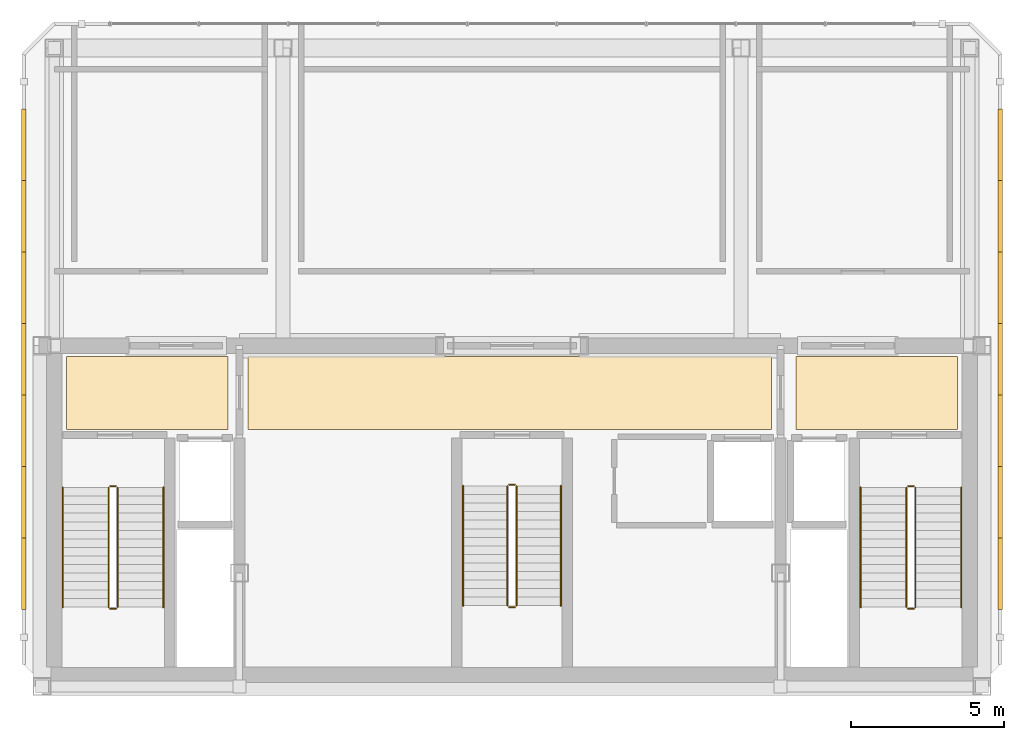
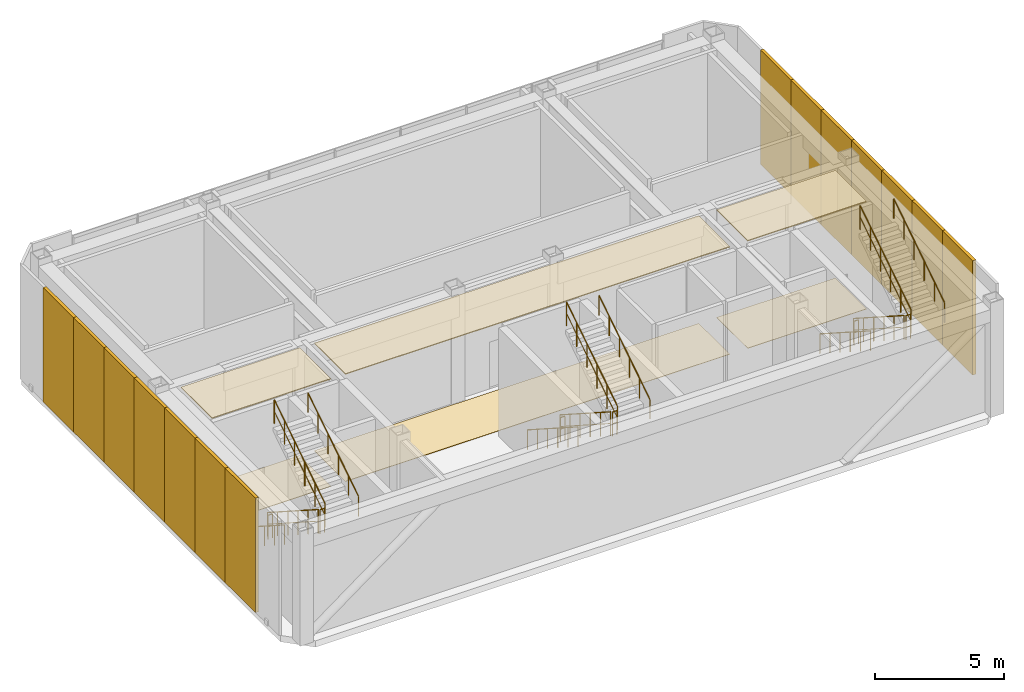
# One storey, part 9 of 9: 18 railings, 14 shading devices, 6 coverings.
"""IFC4 building model written with IfcOpenShell, lengths in metres."""

import ifcopenshell
import ifcopenshell.guid

model = None  # the IFC model being written
_history = None  # IfcOwnerHistory: only IFC2X3 demands one
_inside = {}  # id of a spatial element -> (the spatial element, [elements in it])
_under = {}  # id of a project, library or spatial element -> (it, [spatial elements below it])
_declared = {}  # id of a project -> (the project, [libraries it declares])
_typed = {}  # id of a type object -> (the type object, [elements of that type])
_made_of = {}  # id of a material, layer set ... -> (it, [elements and type objects made of it])


def new_model(schema):
    """Start an empty IFC model of exactly this schema.

    Asked for "IFC4X3", IfcOpenShell would pick the latest addendum, in which some entities
    have other attributes; the version numbers below select the first issue.
    IFC2X3 requires an IfcOwnerHistory on every rooted entity: one is made here for all.
    """
    global model, _history
    if schema == "IFC4X3":
        model = ifcopenshell.file(schema_version=(4, 3, 0, 0))
    else:
        model = ifcopenshell.file(schema=schema)
    _inside.clear()
    _under.clear()
    _declared.clear()
    _typed.clear()
    _made_of.clear()
    _history = None
    if model.schema == "IFC2X3":
        org = make("IfcOrganization", Name="unknown")
        user = make(
            "IfcPersonAndOrganization",
            ThePerson=make("IfcPerson", FamilyName="unknown"),
            TheOrganization=org,
        )
        app = make(
            "IfcApplication",
            ApplicationDeveloper=org,
            Version="unknown",
            ApplicationFullName="unknown",
            ApplicationIdentifier="unknown",
        )
        _history = make(
            "IfcOwnerHistory",
            OwningUser=user,
            OwningApplication=app,
            ChangeAction="ADDED",
            CreationDate=0,
        )
    return model


def make(cls, **values):
    """One entity of the class cls with the attributes given. An attribute that is None is left unset."""
    return model.create_entity(
        cls, **{name: value for name, value in values.items() if value is not None}
    )


def rooted(cls, **values):
    """An entity with a GlobalId (a new one), such as an element, a storey or a relation."""
    return make(cls, GlobalId=ifcopenshell.guid.new(), OwnerHistory=_history, **values)


def si_unit(unit_type, name, prefix=None):
    """IfcSIUnit, for example si_unit("LENGTHUNIT", "METRE", prefix="MILLI")."""
    return make("IfcSIUnit", UnitType=unit_type, Prefix=prefix, Name=name)


def assignment(units):
    """IfcUnitAssignment: the units of a project."""
    return None if units is None else make("IfcUnitAssignment", Units=units)


def point(xyz):
    """IfcCartesianPoint."""
    return None if xyz is None else make("IfcCartesianPoint", Coordinates=xyz)


def direction(xyz):
    """IfcDirection."""
    return None if xyz is None else make("IfcDirection", DirectionRatios=xyz)


def frame(location, z_axis=None, x_axis=None):
    """IfcAxis2Placement3D, a coordinate frame: its origin and axes. An axis left out is left unset."""
    return make(
        "IfcAxis2Placement3D",
        Location=point(location),
        Axis=direction(z_axis),
        RefDirection=direction(x_axis),
    )


def frame_2d(location, x_axis=None):
    """IfcAxis2Placement2D, a coordinate frame in the plane: its origin and x axis."""
    return make(
        "IfcAxis2Placement2D", Location=point(location), RefDirection=direction(x_axis)
    )


def origin():
    """The frame at (0, 0, 0) with its axes left unset."""
    return frame((0.0, 0.0, 0.0))


def origin_2d():
    """The frame at (0, 0) in the plane with its x axis left unset."""
    return frame_2d((0.0, 0.0))


def place(relative_to, where):
    """IfcLocalPlacement: puts the frame where relative to a parent placement (None: the world)."""
    return make(
        "IfcLocalPlacement", PlacementRelTo=relative_to, RelativePlacement=where
    )


def context(
    kind, dimensions, precision=None, world=None, true_north=None, identifier=None
):
    """IfcGeometricRepresentationContext, for example the 3D "Model" context."""
    return make(
        "IfcGeometricRepresentationContext",
        ContextIdentifier=identifier,
        ContextType=kind,
        CoordinateSpaceDimension=dimensions,
        Precision=precision,
        WorldCoordinateSystem=world,
        TrueNorth=true_north,
    )


def subcontext(parent, identifier, kind, view, scale=None):
    """IfcGeometricRepresentationSubContext, for example "Body" below "Model"."""
    return make(
        "IfcGeometricRepresentationSubContext",
        ContextIdentifier=identifier,
        ContextType=kind,
        ParentContext=parent,
        TargetScale=scale,
        TargetView=view,
    )


def project(units=None, contexts=None):
    """IfcProject with its units and contexts."""
    return rooted(
        "IfcProject",
        Name="project",
        RepresentationContexts=contexts,
        UnitsInContext=assignment(units),
    )


def spatial(cls, under=None, at=None, **own):
    """A site, building, storey or space (cls), placed at a placement, below another one or the project."""
    s = rooted(cls, ObjectPlacement=at, **own)
    if under is not None:
        _under.setdefault(under.id(), (under, []))[1].append(s)
    return s


def polyline(points):
    """IfcPolyline through the points."""
    return make("IfcPolyline", Points=[point(p) for p in points])


def profile(cls, at=None, kind="AREA", **sizes):
    """A parametric profile (cls). Its sizes go by their IFC names, for example OverallWidth=200.0."""
    return make(cls, ProfileType=kind, Position=at, **sizes)


def rectangle(**sizes):
    """IfcRectangleProfileDef."""
    return profile("IfcRectangleProfileDef", **sizes)


def circle(**sizes):
    """IfcCircleProfileDef."""
    return profile("IfcCircleProfileDef", **sizes)


def outline(outer, holes=None, kind="AREA"):
    """IfcArbitraryClosedProfileDef: a profile drawn as a closed curve; with holes, ...WithVoids."""
    if holes is None:
        return make("IfcArbitraryClosedProfileDef", ProfileType=kind, OuterCurve=outer)
    return make(
        "IfcArbitraryProfileDefWithVoids",
        ProfileType=kind,
        OuterCurve=outer,
        InnerCurves=holes,
    )


def extrude(swept, where, along, depth):
    """IfcExtrudedAreaSolid: the profile swept, set in the frame where, extruded along a direction by depth."""
    return make(
        "IfcExtrudedAreaSolid",
        SweptArea=swept,
        Position=where,
        ExtrudedDirection=direction(along),
        Depth=depth,
    )


def shape(context_of_items, identifier, shape_type, items):
    """IfcShapeRepresentation: the items that make up one representation, for example the "Body"."""
    return make(
        "IfcShapeRepresentation",
        ContextOfItems=context_of_items,
        RepresentationIdentifier=identifier,
        RepresentationType=shape_type,
        Items=items,
    )


def material(Name=None, Category=None):
    """IfcMaterial."""
    return make("IfcMaterial", Name=Name, Category=Category)


def layer(
    of_material, thickness, ventilated=None, Name=None, Category=None, Priority=None
):
    """IfcMaterialLayer: one layer of a wall or slab, of a material (None: an air gap)."""
    return make(
        "IfcMaterialLayer",
        Material=of_material,
        LayerThickness=thickness,
        IsVentilated=ventilated,
        Name=Name,
        Category=Category,
        Priority=Priority,
    )


def layer_set(layers, Name=None):
    """IfcMaterialLayerSet."""
    return make("IfcMaterialLayerSet", MaterialLayers=layers, LayerSetName=Name)


def made_of(thing, what):
    """Note that an element or type object is made of a material, layer set ...; save() writes the relation."""
    if what is not None:
        _made_of.setdefault(what.id(), (what, []))[1].append(thing)
    return thing


def type_object(cls, material=None, **own):
    """A type object (cls), such as IfcWallType, which elements share."""
    return made_of(rooted(cls, **own), material)


def element(
    cls,
    number,
    at=None,
    inside=None,
    cuts=None,
    type_object=None,
    material=None,
    context=None,
    identifier="Body",
    shape_type=None,
    held_by="IfcProductDefinitionShape",
    body=None,
    shapes=None,
    **own,
):
    """One element of the class cls, such as IfcWall. Its Tag is "e" and its number.

    at: its placement. inside: the storey or other place that contains it. cuts: it is an
    opening in that element (IfcRelVoidsElement). A single representation is given by context,
    identifier, shape_type and body (its items); several are given by shapes. held_by: the class
    of the entity that holds the representations. save() writes the other relations.
    """
    e = rooted(cls, Tag="e%d" % number, ObjectPlacement=at, **own)
    if body is not None:
        shapes = [shape(context, identifier, shape_type, body)]
    if shapes is not None:
        e.Representation = make(held_by, Representations=shapes)
    if inside is not None:
        _inside.setdefault(inside.id(), (inside, []))[1].append(e)
    if cuts is not None:
        rooted(
            "IfcRelVoidsElement", RelatingBuildingElement=cuts, RelatedOpeningElement=e
        )
    if type_object is not None:
        _typed.setdefault(type_object.id(), (type_object, []))[1].append(e)
    return made_of(e, material)


def aggregate(whole, parts):
    """IfcRelAggregates: a whole, such as a stair, and the parts it consists of."""
    return rooted("IfcRelAggregates", RelatingObject=whole, RelatedObjects=parts)


def save(model, path):
    """Write the relations noted so far, then the file.

    IfcRelAggregates (storeys below a building ...), IfcRelContainedInSpatialStructure (elements
    in a storey), IfcRelDefinesByType, IfcRelAssociatesMaterial and IfcRelDeclares: one each for
    every whole, place, type object, material and project.
    """
    for whole, parts in _under.values():
        aggregate(whole, parts)
    for where, things in _inside.values():
        rooted(
            "IfcRelContainedInSpatialStructure",
            RelatedElements=things,
            RelatingStructure=where,
        )
    for kind, things in _typed.values():
        rooted("IfcRelDefinesByType", RelatedObjects=things, RelatingType=kind)
    for what, things in _made_of.values():
        rooted("IfcRelAssociatesMaterial", RelatedObjects=things, RelatingMaterial=what)
    for by, libraries in _declared.values():
        rooted("IfcRelDeclares", RelatingContext=by, RelatedDefinitions=libraries)
    model.write(path)


model = new_model("IFC4")

# Units and contexts
model_context = context("Model", 3, precision=1e-05, world=origin(), true_north=direction((0.0, 1.0)))
body_context = subcontext(model_context, "Body", "Model", "MODEL_VIEW")
ifc_project = project(units=[si_unit("LENGTHUNIT", "METRE"), si_unit("AREAUNIT", "SQUARE_METRE"), si_unit("VOLUMEUNIT", "CUBIC_METRE"), si_unit("PLANEANGLEUNIT", "RADIAN"), si_unit("MASSUNIT", "GRAM", prefix="KILO")], contexts=[model_context])

# Site, building, storey
site_placement = place(None, origin())
site = spatial("IfcSite", under=ifc_project, at=site_placement, CompositionType="ELEMENT")
building_placement = place(site_placement, origin())
building = spatial("IfcBuilding", under=site, at=building_placement, Name="Ventersveld Concourse Tower", CompositionType="ELEMENT")
storey_placement = place(building_placement, frame((0.0, 0.0, 372.050048828125)))
storey = spatial("IfcBuildingStorey", under=building, at=storey_placement, Name="L91", CompositionType="ELEMENT", Elevation=372.050048828125)

# Coverings
ifc_material_1 = material(Name="Mineral-fibre acoustic ceiling tile", Category="gypsum")
ifc_layer_1 = layer(ifc_material_1, 0.0400390625)
ifc_layer_set_1 = layer_set([ifc_layer_1], Name="Mineral-fibre acoustic ceiling tile")
covering_type_1 = type_object("IfcCoveringType", Name="COV-CEIL-ACOUSTIC", PredefinedType="CEILING", material=ifc_layer_set_1)
covering_1_placement = place(storey_placement, frame((0.0, 0.0, 5.06005859375)))
element("IfcCovering", 1, at=covering_1_placement, inside=storey, type_object=covering_type_1, Name="L91 North Lift Lobby Acoustic Ceiling", PredefinedType="CEILING", context=body_context, shape_type="SweptSolid", body=[
    extrude(outline(polyline([(20.10009765625, 8.699951171875), (37.25, 8.699951171875), (37.25, 11.10009765625), (20.10009765625, 11.10009765625), (20.10009765625, 8.699951171875)])), origin(), (0.0, 0.0, 1.0), 0.039794921875),
])
covering_2_placement = place(storey_placement, frame((0.0, 0.0, 5.06005859375)))
element("IfcCovering", 2, at=covering_2_placement, inside=storey, type_object=covering_type_1, Name="L91 West Firefighting Lobby Acoustic Ceiling", PredefinedType="CEILING", context=body_context, shape_type="SweptSolid", body=[
    extrude(outline(polyline([(14.14990234375, 8.699951171875), (19.449951171875, 8.699951171875), (19.449951171875, 11.10009765625), (14.14990234375, 11.10009765625), (14.14990234375, 8.699951171875)])), origin(), (0.0, 0.0, 1.0), 0.039794921875),
])
covering_3_placement = place(storey_placement, frame((0.0, 0.0, 5.06005859375)))
element("IfcCovering", 3, at=covering_3_placement, inside=storey, type_object=covering_type_1, Name="L91 East Firefighting Lobby Acoustic Ceiling", PredefinedType="CEILING", context=body_context, shape_type="SweptSolid", body=[
    extrude(outline(polyline([(38.050048828125, 8.699951171875), (43.35009765625, 8.699951171875), (43.35009765625, 11.10009765625), (38.050048828125, 11.10009765625), (38.050048828125, 8.699951171875)])), origin(), (0.0, 0.0, 1.0), 0.039794921875),
])
ifc_material_2 = material(Name="Polished Highveld granite terrazzo", Category="masonry")
ifc_layer_2 = layer(ifc_material_2, 0.02001953125)
ifc_layer_set_2 = layer_set([ifc_layer_2], Name="Polished Highveld granite terrazzo")
covering_type_2 = type_object("IfcCoveringType", Name="COV-FLOOR-TERRAZZO", PredefinedType="FLOORING", material=ifc_layer_set_2)
covering_4_placement = place(storey_placement, origin())
element("IfcCovering", 4, at=covering_4_placement, inside=storey, type_object=covering_type_2, Name="L91 North Lift Lobby Terrazzo Flooring", PredefinedType="FLOORING", context=body_context, shape_type="SweptSolid", body=[
    extrude(outline(polyline([(20.10009765625, 8.699951171875), (37.25, 8.699951171875), (37.25, 11.10009765625), (20.10009765625, 11.10009765625), (20.10009765625, 8.699951171875)])), origin(), (0.0, 0.0, 1.0), 0.02001953125),
])
covering_5_placement = place(storey_placement, origin())
element("IfcCovering", 5, at=covering_5_placement, inside=storey, type_object=covering_type_2, Name="L91 West Firefighting Lobby Terrazzo Flooring", PredefinedType="FLOORING", context=body_context, shape_type="SweptSolid", body=[
    extrude(outline(polyline([(14.14990234375, 8.699951171875), (19.449951171875, 8.699951171875), (19.449951171875, 11.10009765625), (14.14990234375, 11.10009765625), (14.14990234375, 8.699951171875)])), origin(), (0.0, 0.0, 1.0), 0.02001953125),
])
covering_6_placement = place(storey_placement, origin())
element("IfcCovering", 6, at=covering_6_placement, inside=storey, type_object=covering_type_2, Name="L91 East Firefighting Lobby Terrazzo Flooring", PredefinedType="FLOORING", context=body_context, shape_type="SweptSolid", body=[
    extrude(outline(polyline([(38.050048828125, 8.699951171875), (43.35009765625, 8.699951171875), (43.35009765625, 11.10009765625), (38.050048828125, 11.10009765625), (38.050048828125, 8.699951171875)])), origin(), (0.0, 0.0, 1.0), 0.02001953125),
])

# Railings
ifc_material_3 = material(Name="Brushed stainless steel 316", Category="steel")
railing_type_1 = type_object("IfcRailingType", Name="GD-BAL-115", PredefinedType="GUARDRAIL", material=ifc_material_3)
railing_1_placement = place(storey_placement, frame((15.530029296875, 6.800048828125, 0.179931640625)))
element("IfcRailing", 7, at=railing_1_placement, inside=storey, type_object=railing_type_1, Name="L91 ST-01 stair guard 1", PredefinedType="GUARDRAIL", context=body_context, shape_type="SweptSolid", body=[
    extrude(circle(Radius=0.02392578125, at=origin_2d()), frame((0.0, 0.0, 1.1259765625), z_axis=(0.0, -0.841186985886, 0.540744352514), x_axis=(1.0, 0.0, 0.0)), (0.0, 0.0, 1.0), 4.660400390625),
    extrude(circle(Radius=0.01611328125, at=origin_2d()), frame((0.0, 0.0, 0.574951171875), z_axis=(0.0, -0.841186985886, 0.540744352514), x_axis=(1.0, 0.0, 0.0)), (0.0, 0.0, 1.0), 4.660400390625),
    extrude(circle(Radius=0.02099609375, at=origin_2d()), origin(), (0.0, 0.0, 1.0), 1.101806640625),
    extrude(circle(Radius=0.02099609375, at=origin_2d()), frame((0.0, -0.783935546875, 0.50390625)), (0.0, 0.0, 1.0), 1.101806640625),
    extrude(circle(Radius=0.02099609375, at=origin_2d()), frame((0.0, -1.568115234375, 1.008056640625)), (0.0, 0.0, 1.0), 1.101806640625),
    extrude(circle(Radius=0.02099609375, at=origin_2d()), frame((0.0, -2.35205078125, 1.511962890625)), (0.0, 0.0, 1.0), 1.101806640625),
    extrude(circle(Radius=0.02099609375, at=origin_2d()), frame((0.0, -3.13623046875, 2.01611328125)), (0.0, 0.0, 1.0), 1.101806640625),
    extrude(circle(Radius=0.02099609375, at=origin_2d()), frame((0.0, -3.920166015625, 2.52001953125)), (0.0, 0.0, 1.0), 1.101806640625),
])
railing_2_placement = place(storey_placement, frame((15.580078125, 2.830078125, 2.699951171875)))
element("IfcRailing", 8, at=railing_2_placement, inside=storey, type_object=railing_type_1, Name="L91 ST-01 stair guard 2", PredefinedType="GUARDRAIL", context=body_context, shape_type="SweptSolid", body=[
    extrude(circle(Radius=0.02392578125, at=origin_2d()), frame((0.0, 0.0, 1.1259765625), z_axis=(1.0, 0.0, 0.0), x_axis=(0.0, 1.0, 0.0)), (0.0, 0.0, 1.0), 0.199951171875),
    extrude(circle(Radius=0.01611328125, at=origin_2d()), frame((0.0, 0.0, 0.574951171875), z_axis=(1.0, 0.0, 0.0), x_axis=(0.0, 1.0, 0.0)), (0.0, 0.0, 1.0), 0.199951171875),
    extrude(circle(Radius=0.02099609375, at=origin_2d()), origin(), (0.0, 0.0, 1.0), 1.101806640625),
    extrude(circle(Radius=0.02099609375, at=origin_2d()), frame((0.199951171875, 0.0, 0.0)), (0.0, 0.0, 1.0), 1.101806640625),
])
railing_3_placement = place(storey_placement, frame((15.830078125, 2.8798828125, 2.8798828125)))
element("IfcRailing", 9, at=railing_3_placement, inside=storey, type_object=railing_type_1, Name="L91 ST-01 stair guard 3", PredefinedType="GUARDRAIL", context=body_context, shape_type="SweptSolid", body=[
    extrude(circle(Radius=0.02392578125, at=origin_2d()), frame((0.0, 0.0, 1.1259765625), z_axis=(0.0, 0.841186985886, 0.540744352514), x_axis=(-1.0, 0.0, 0.0)), (0.0, 0.0, 1.0), 4.660400390625),
    extrude(circle(Radius=0.01611328125, at=origin_2d()), frame((0.0, 0.0, 0.574951171875), z_axis=(0.0, 0.841186985886, 0.540744352514), x_axis=(-1.0, 0.0, 0.0)), (0.0, 0.0, 1.0), 4.660400390625),
    extrude(circle(Radius=0.02099609375, at=origin_2d()), origin(), (0.0, 0.0, 1.0), 1.101806640625),
    extrude(circle(Radius=0.02099609375, at=origin_2d()), frame((0.0, 0.783935546875, 0.50390625)), (0.0, 0.0, 1.0), 1.101806640625),
    extrude(circle(Radius=0.02099609375, at=origin_2d()), frame((0.0, 1.568115234375, 1.008056640625)), (0.0, 0.0, 1.0), 1.101806640625),
    extrude(circle(Radius=0.02099609375, at=origin_2d()), frame((0.0, 2.35205078125, 1.511962890625)), (0.0, 0.0, 1.0), 1.101806640625),
    extrude(circle(Radius=0.02099609375, at=origin_2d()), frame((0.0, 3.13623046875, 2.01611328125)), (0.0, 0.0, 1.0), 1.101806640625),
    extrude(circle(Radius=0.02099609375, at=origin_2d()), frame((0.0, 3.920166015625, 2.52001953125)), (0.0, 0.0, 1.0), 1.101806640625),
])
railing_4_placement = place(storey_placement, frame((15.580078125, 6.85009765625, 0.0)))
element("IfcRailing", 10, at=railing_4_placement, inside=storey, type_object=railing_type_1, Name="L91 ST-01 stair guard 4", PredefinedType="GUARDRAIL", context=body_context, shape_type="SweptSolid", body=[
    extrude(circle(Radius=0.02392578125, at=origin_2d()), frame((0.0, 0.0, 1.1259765625), z_axis=(1.0, 0.0, 0.0), x_axis=(0.0, 1.0, 0.0)), (0.0, 0.0, 1.0), 0.199951171875),
    extrude(circle(Radius=0.01611328125, at=origin_2d()), frame((0.0, 0.0, 0.574951171875), z_axis=(1.0, 0.0, 0.0), x_axis=(0.0, 1.0, 0.0)), (0.0, 0.0, 1.0), 0.199951171875),
    extrude(circle(Radius=0.02099609375, at=origin_2d()), origin(), (0.0, 0.0, 1.0), 1.101806640625),
    extrude(circle(Radius=0.02099609375, at=origin_2d()), frame((0.199951171875, 0.0, 0.0)), (0.0, 0.0, 1.0), 1.101806640625),
])
railing_5_placement = place(storey_placement, frame((41.669921875, 6.800048828125, 0.179931640625)))
element("IfcRailing", 11, at=railing_5_placement, inside=storey, type_object=railing_type_1, Name="L91 ST-02 stair guard 1", PredefinedType="GUARDRAIL", context=body_context, shape_type="SweptSolid", body=[
    extrude(circle(Radius=0.02392578125, at=origin_2d()), frame((0.0, 0.0, 1.1259765625), z_axis=(0.0, -0.841186985886, 0.540744352514), x_axis=(1.0, 0.0, 0.0)), (0.0, 0.0, 1.0), 4.660400390625),
    extrude(circle(Radius=0.01611328125, at=origin_2d()), frame((0.0, 0.0, 0.574951171875), z_axis=(0.0, -0.841186985886, 0.540744352514), x_axis=(1.0, 0.0, 0.0)), (0.0, 0.0, 1.0), 4.660400390625),
    extrude(circle(Radius=0.02099609375, at=origin_2d()), origin(), (0.0, 0.0, 1.0), 1.101806640625),
    extrude(circle(Radius=0.02099609375, at=origin_2d()), frame((0.0, -0.783935546875, 0.50390625)), (0.0, 0.0, 1.0), 1.101806640625),
    extrude(circle(Radius=0.02099609375, at=origin_2d()), frame((0.0, -1.568115234375, 1.008056640625)), (0.0, 0.0, 1.0), 1.101806640625),
    extrude(circle(Radius=0.02099609375, at=origin_2d()), frame((0.0, -2.35205078125, 1.511962890625)), (0.0, 0.0, 1.0), 1.101806640625),
    extrude(circle(Radius=0.02099609375, at=origin_2d()), frame((0.0, -3.13623046875, 2.01611328125)), (0.0, 0.0, 1.0), 1.101806640625),
    extrude(circle(Radius=0.02099609375, at=origin_2d()), frame((0.0, -3.920166015625, 2.52001953125)), (0.0, 0.0, 1.0), 1.101806640625),
])
railing_6_placement = place(storey_placement, frame((41.719970703125, 2.830078125, 2.699951171875)))
element("IfcRailing", 12, at=railing_6_placement, inside=storey, type_object=railing_type_1, Name="L91 ST-02 stair guard 2", PredefinedType="GUARDRAIL", context=body_context, shape_type="SweptSolid", body=[
    extrude(circle(Radius=0.02392578125, at=origin_2d()), frame((0.0, 0.0, 1.1259765625), z_axis=(1.0, 0.0, 0.0), x_axis=(0.0, 1.0, 0.0)), (0.0, 0.0, 1.0), 0.199951171875),
    extrude(circle(Radius=0.01611328125, at=origin_2d()), frame((0.0, 0.0, 0.574951171875), z_axis=(1.0, 0.0, 0.0), x_axis=(0.0, 1.0, 0.0)), (0.0, 0.0, 1.0), 0.199951171875),
    extrude(circle(Radius=0.02099609375, at=origin_2d()), origin(), (0.0, 0.0, 1.0), 1.101806640625),
    extrude(circle(Radius=0.02099609375, at=origin_2d()), frame((0.199951171875, 0.0, 0.0)), (0.0, 0.0, 1.0), 1.101806640625),
])
railing_7_placement = place(storey_placement, frame((41.969970703125, 2.8798828125, 2.8798828125)))
element("IfcRailing", 13, at=railing_7_placement, inside=storey, type_object=railing_type_1, Name="L91 ST-02 stair guard 3", PredefinedType="GUARDRAIL", context=body_context, shape_type="SweptSolid", body=[
    extrude(circle(Radius=0.02392578125, at=origin_2d()), frame((0.0, 0.0, 1.1259765625), z_axis=(0.0, 0.841186985886, 0.540744352514), x_axis=(-1.0, 0.0, 0.0)), (0.0, 0.0, 1.0), 4.660400390625),
    extrude(circle(Radius=0.01611328125, at=origin_2d()), frame((0.0, 0.0, 0.574951171875), z_axis=(0.0, 0.841186985886, 0.540744352514), x_axis=(-1.0, 0.0, 0.0)), (0.0, 0.0, 1.0), 4.660400390625),
    extrude(circle(Radius=0.02099609375, at=origin_2d()), origin(), (0.0, 0.0, 1.0), 1.101806640625),
    extrude(circle(Radius=0.02099609375, at=origin_2d()), frame((0.0, 0.783935546875, 0.50390625)), (0.0, 0.0, 1.0), 1.101806640625),
    extrude(circle(Radius=0.02099609375, at=origin_2d()), frame((0.0, 1.568115234375, 1.008056640625)), (0.0, 0.0, 1.0), 1.101806640625),
    extrude(circle(Radius=0.02099609375, at=origin_2d()), frame((0.0, 2.35205078125, 1.511962890625)), (0.0, 0.0, 1.0), 1.101806640625),
    extrude(circle(Radius=0.02099609375, at=origin_2d()), frame((0.0, 3.13623046875, 2.01611328125)), (0.0, 0.0, 1.0), 1.101806640625),
    extrude(circle(Radius=0.02099609375, at=origin_2d()), frame((0.0, 3.920166015625, 2.52001953125)), (0.0, 0.0, 1.0), 1.101806640625),
])
railing_8_placement = place(storey_placement, frame((41.719970703125, 6.85009765625, 0.0)))
element("IfcRailing", 14, at=railing_8_placement, inside=storey, type_object=railing_type_1, Name="L91 ST-02 stair guard 4", PredefinedType="GUARDRAIL", context=body_context, shape_type="SweptSolid", body=[
    extrude(circle(Radius=0.02392578125, at=origin_2d()), frame((0.0, 0.0, 1.1259765625), z_axis=(1.0, 0.0, 0.0), x_axis=(0.0, 1.0, 0.0)), (0.0, 0.0, 1.0), 0.199951171875),
    extrude(circle(Radius=0.01611328125, at=origin_2d()), frame((0.0, 0.0, 0.574951171875), z_axis=(1.0, 0.0, 0.0), x_axis=(0.0, 1.0, 0.0)), (0.0, 0.0, 1.0), 0.199951171875),
    extrude(circle(Radius=0.02099609375, at=origin_2d()), origin(), (0.0, 0.0, 1.0), 1.101806640625),
    extrude(circle(Radius=0.02099609375, at=origin_2d()), frame((0.199951171875, 0.0, 0.0)), (0.0, 0.0, 1.0), 1.101806640625),
])
railing_9_placement = place(storey_placement, frame((28.60009765625, 6.85009765625, 0.179931640625)))
element("IfcRailing", 15, at=railing_9_placement, inside=storey, type_object=railing_type_1, Name="L91 ST-03 stair guard 1", PredefinedType="GUARDRAIL", context=body_context, shape_type="SweptSolid", body=[
    extrude(circle(Radius=0.02392578125, at=origin_2d()), frame((0.0, 0.0, 1.1259765625), z_axis=(0.0, -0.841186985886, 0.540744352514), x_axis=(1.0, 0.0, 0.0)), (0.0, 0.0, 1.0), 4.660400390625),
    extrude(circle(Radius=0.01611328125, at=origin_2d()), frame((0.0, 0.0, 0.574951171875), z_axis=(0.0, -0.841186985886, 0.540744352514), x_axis=(1.0, 0.0, 0.0)), (0.0, 0.0, 1.0), 4.660400390625),
    extrude(circle(Radius=0.02099609375, at=origin_2d()), origin(), (0.0, 0.0, 1.0), 1.101806640625),
    extrude(circle(Radius=0.02099609375, at=origin_2d()), frame((0.0, -0.783935546875, 0.50390625)), (0.0, 0.0, 1.0), 1.101806640625),
    extrude(circle(Radius=0.02099609375, at=origin_2d()), frame((0.0, -1.568115234375, 1.008056640625)), (0.0, 0.0, 1.0), 1.101806640625),
    extrude(circle(Radius=0.02099609375, at=origin_2d()), frame((0.0, -2.35205078125, 1.511962890625)), (0.0, 0.0, 1.0), 1.101806640625),
    extrude(circle(Radius=0.02099609375, at=origin_2d()), frame((0.0, -3.13623046875, 2.01611328125)), (0.0, 0.0, 1.0), 1.101806640625),
    extrude(circle(Radius=0.02099609375, at=origin_2d()), frame((0.0, -3.920166015625, 2.52001953125)), (0.0, 0.0, 1.0), 1.101806640625),
])
railing_10_placement = place(storey_placement, frame((28.64990234375, 2.8798828125, 2.699951171875)))
element("IfcRailing", 16, at=railing_10_placement, inside=storey, type_object=railing_type_1, Name="L91 ST-03 stair guard 2", PredefinedType="GUARDRAIL", context=body_context, shape_type="SweptSolid", body=[
    extrude(circle(Radius=0.02392578125, at=origin_2d()), frame((0.0, 0.0, 1.1259765625), z_axis=(1.0, 0.0, 0.0), x_axis=(0.0, 1.0, 0.0)), (0.0, 0.0, 1.0), 0.2001953125),
    extrude(circle(Radius=0.01611328125, at=origin_2d()), frame((0.0, 0.0, 0.574951171875), z_axis=(1.0, 0.0, 0.0), x_axis=(0.0, 1.0, 0.0)), (0.0, 0.0, 1.0), 0.2001953125),
    extrude(circle(Radius=0.02099609375, at=origin_2d()), origin(), (0.0, 0.0, 1.0), 1.101806640625),
    extrude(circle(Radius=0.02099609375, at=origin_2d()), frame((0.2001953125, 0.0, 0.0)), (0.0, 0.0, 1.0), 1.101806640625),
])
railing_11_placement = place(storey_placement, frame((28.89990234375, 2.929931640625, 2.8798828125)))
element("IfcRailing", 17, at=railing_11_placement, inside=storey, type_object=railing_type_1, Name="L91 ST-03 stair guard 3", PredefinedType="GUARDRAIL", context=body_context, shape_type="SweptSolid", body=[
    extrude(circle(Radius=0.02392578125, at=origin_2d()), frame((0.0, 0.0, 1.1259765625), z_axis=(0.0, 0.841186985886, 0.540744352514), x_axis=(-1.0, 0.0, 0.0)), (0.0, 0.0, 1.0), 4.660400390625),
    extrude(circle(Radius=0.01611328125, at=origin_2d()), frame((0.0, 0.0, 0.574951171875), z_axis=(0.0, 0.841186985886, 0.540744352514), x_axis=(-1.0, 0.0, 0.0)), (0.0, 0.0, 1.0), 4.660400390625),
    extrude(circle(Radius=0.02099609375, at=origin_2d()), origin(), (0.0, 0.0, 1.0), 1.101806640625),
    extrude(circle(Radius=0.02099609375, at=origin_2d()), frame((0.0, 0.783935546875, 0.50390625)), (0.0, 0.0, 1.0), 1.101806640625),
    extrude(circle(Radius=0.02099609375, at=origin_2d()), frame((0.0, 1.568115234375, 1.008056640625)), (0.0, 0.0, 1.0), 1.101806640625),
    extrude(circle(Radius=0.02099609375, at=origin_2d()), frame((0.0, 2.35205078125, 1.511962890625)), (0.0, 0.0, 1.0), 1.101806640625),
    extrude(circle(Radius=0.02099609375, at=origin_2d()), frame((0.0, 3.13623046875, 2.01611328125)), (0.0, 0.0, 1.0), 1.101806640625),
    extrude(circle(Radius=0.02099609375, at=origin_2d()), frame((0.0, 3.920166015625, 2.52001953125)), (0.0, 0.0, 1.0), 1.101806640625),
])
railing_12_placement = place(storey_placement, frame((28.64990234375, 6.89990234375, 0.0)))
element("IfcRailing", 18, at=railing_12_placement, inside=storey, type_object=railing_type_1, Name="L91 ST-03 stair guard 4", PredefinedType="GUARDRAIL", context=body_context, shape_type="SweptSolid", body=[
    extrude(circle(Radius=0.02392578125, at=origin_2d()), frame((0.0, 0.0, 1.1259765625), z_axis=(1.0, 0.0, 0.0), x_axis=(0.0, 1.0, 0.0)), (0.0, 0.0, 1.0), 0.2001953125),
    extrude(circle(Radius=0.01611328125, at=origin_2d()), frame((0.0, 0.0, 0.574951171875), z_axis=(1.0, 0.0, 0.0), x_axis=(0.0, 1.0, 0.0)), (0.0, 0.0, 1.0), 0.2001953125),
    extrude(circle(Radius=0.02099609375, at=origin_2d()), origin(), (0.0, 0.0, 1.0), 1.101806640625),
    extrude(circle(Radius=0.02099609375, at=origin_2d()), frame((0.2001953125, 0.0, 0.0)), (0.0, 0.0, 1.0), 1.101806640625),
])
railing_type_2 = type_object("IfcRailingType", Name="HR-RMP-095", PredefinedType="HANDRAIL", material=ifc_material_3)
railing_13_placement = place(storey_placement, frame((14.030029296875, 6.800048828125, 0.179931640625)))
element("IfcRailing", 19, at=railing_13_placement, inside=storey, type_object=railing_type_2, Name="L91 ST-01 stair handrail 1", PredefinedType="HANDRAIL", context=body_context, shape_type="SweptSolid", body=[
    extrude(circle(Radius=0.02392578125, at=origin_2d()), frame((0.0, 0.0, 0.92578125), z_axis=(0.0, -0.841186985886, 0.540744352514), x_axis=(1.0, 0.0, 0.0)), (0.0, 0.0, 1.0), 4.660400390625),
    extrude(circle(Radius=0.02099609375, at=origin_2d()), origin(), (0.0, 0.0, 1.0), 0.90185546875),
    extrude(circle(Radius=0.02099609375, at=origin_2d()), frame((0.0, -0.783935546875, 0.50390625)), (0.0, 0.0, 1.0), 0.90185546875),
    extrude(circle(Radius=0.02099609375, at=origin_2d()), frame((0.0, -1.568115234375, 1.008056640625)), (0.0, 0.0, 1.0), 0.90185546875),
    extrude(circle(Radius=0.02099609375, at=origin_2d()), frame((0.0, -2.35205078125, 1.511962890625)), (0.0, 0.0, 1.0), 0.90185546875),
    extrude(circle(Radius=0.02099609375, at=origin_2d()), frame((0.0, -3.13623046875, 2.01611328125)), (0.0, 0.0, 1.0), 0.90185546875),
    extrude(circle(Radius=0.02099609375, at=origin_2d()), frame((0.0, -3.920166015625, 2.52001953125)), (0.0, 0.0, 1.0), 0.90185546875),
])
railing_14_placement = place(storey_placement, frame((17.330078125, 2.8798828125, 2.8798828125)))
element("IfcRailing", 20, at=railing_14_placement, inside=storey, type_object=railing_type_2, Name="L91 ST-01 stair handrail 2", PredefinedType="HANDRAIL", context=body_context, shape_type="SweptSolid", body=[
    extrude(circle(Radius=0.02392578125, at=origin_2d()), frame((0.0, 0.0, 0.92578125), z_axis=(0.0, 0.841186985886, 0.540744352514), x_axis=(-1.0, 0.0, 0.0)), (0.0, 0.0, 1.0), 4.660400390625),
    extrude(circle(Radius=0.02099609375, at=origin_2d()), origin(), (0.0, 0.0, 1.0), 0.90185546875),
    extrude(circle(Radius=0.02099609375, at=origin_2d()), frame((0.0, 0.783935546875, 0.50390625)), (0.0, 0.0, 1.0), 0.90185546875),
    extrude(circle(Radius=0.02099609375, at=origin_2d()), frame((0.0, 1.568115234375, 1.008056640625)), (0.0, 0.0, 1.0), 0.90185546875),
    extrude(circle(Radius=0.02099609375, at=origin_2d()), frame((0.0, 2.35205078125, 1.511962890625)), (0.0, 0.0, 1.0), 0.90185546875),
    extrude(circle(Radius=0.02099609375, at=origin_2d()), frame((0.0, 3.13623046875, 2.01611328125)), (0.0, 0.0, 1.0), 0.90185546875),
    extrude(circle(Radius=0.02099609375, at=origin_2d()), frame((0.0, 3.920166015625, 2.52001953125)), (0.0, 0.0, 1.0), 0.90185546875),
])
railing_15_placement = place(storey_placement, frame((40.169921875, 6.800048828125, 0.179931640625)))
element("IfcRailing", 21, at=railing_15_placement, inside=storey, type_object=railing_type_2, Name="L91 ST-02 stair handrail 1", PredefinedType="HANDRAIL", context=body_context, shape_type="SweptSolid", body=[
    extrude(circle(Radius=0.02392578125, at=origin_2d()), frame((0.0, 0.0, 0.92578125), z_axis=(0.0, -0.841186985886, 0.540744352514), x_axis=(1.0, 0.0, 0.0)), (0.0, 0.0, 1.0), 4.660400390625),
    extrude(circle(Radius=0.02099609375, at=origin_2d()), origin(), (0.0, 0.0, 1.0), 0.90185546875),
    extrude(circle(Radius=0.02099609375, at=origin_2d()), frame((0.0, -0.783935546875, 0.50390625)), (0.0, 0.0, 1.0), 0.90185546875),
    extrude(circle(Radius=0.02099609375, at=origin_2d()), frame((0.0, -1.568115234375, 1.008056640625)), (0.0, 0.0, 1.0), 0.90185546875),
    extrude(circle(Radius=0.02099609375, at=origin_2d()), frame((0.0, -2.35205078125, 1.511962890625)), (0.0, 0.0, 1.0), 0.90185546875),
    extrude(circle(Radius=0.02099609375, at=origin_2d()), frame((0.0, -3.13623046875, 2.01611328125)), (0.0, 0.0, 1.0), 0.90185546875),
    extrude(circle(Radius=0.02099609375, at=origin_2d()), frame((0.0, -3.920166015625, 2.52001953125)), (0.0, 0.0, 1.0), 0.90185546875),
])
railing_16_placement = place(storey_placement, frame((43.469970703125, 2.8798828125, 2.8798828125)))
element("IfcRailing", 22, at=railing_16_placement, inside=storey, type_object=railing_type_2, Name="L91 ST-02 stair handrail 2", PredefinedType="HANDRAIL", context=body_context, shape_type="SweptSolid", body=[
    extrude(circle(Radius=0.02392578125, at=origin_2d()), frame((0.0, 0.0, 0.92578125), z_axis=(0.0, 0.841186985886, 0.540744352514), x_axis=(-1.0, 0.0, 0.0)), (0.0, 0.0, 1.0), 4.660400390625),
    extrude(circle(Radius=0.02099609375, at=origin_2d()), origin(), (0.0, 0.0, 1.0), 0.90185546875),
    extrude(circle(Radius=0.02099609375, at=origin_2d()), frame((0.0, 0.783935546875, 0.50390625)), (0.0, 0.0, 1.0), 0.90185546875),
    extrude(circle(Radius=0.02099609375, at=origin_2d()), frame((0.0, 1.568115234375, 1.008056640625)), (0.0, 0.0, 1.0), 0.90185546875),
    extrude(circle(Radius=0.02099609375, at=origin_2d()), frame((0.0, 2.35205078125, 1.511962890625)), (0.0, 0.0, 1.0), 0.90185546875),
    extrude(circle(Radius=0.02099609375, at=origin_2d()), frame((0.0, 3.13623046875, 2.01611328125)), (0.0, 0.0, 1.0), 0.90185546875),
    extrude(circle(Radius=0.02099609375, at=origin_2d()), frame((0.0, 3.920166015625, 2.52001953125)), (0.0, 0.0, 1.0), 0.90185546875),
])
railing_17_placement = place(storey_placement, frame((27.14990234375, 6.85009765625, 0.179931640625)))
element("IfcRailing", 23, at=railing_17_placement, inside=storey, type_object=railing_type_2, Name="L91 ST-03 stair handrail 1", PredefinedType="HANDRAIL", context=body_context, shape_type="SweptSolid", body=[
    extrude(circle(Radius=0.02392578125, at=origin_2d()), frame((0.0, 0.0, 0.92578125), z_axis=(0.0, -0.841186985886, 0.540744352514), x_axis=(1.0, 0.0, 0.0)), (0.0, 0.0, 1.0), 4.660400390625),
    extrude(circle(Radius=0.02099609375, at=origin_2d()), origin(), (0.0, 0.0, 1.0), 0.90185546875),
    extrude(circle(Radius=0.02099609375, at=origin_2d()), frame((0.0, -0.783935546875, 0.50390625)), (0.0, 0.0, 1.0), 0.90185546875),
    extrude(circle(Radius=0.02099609375, at=origin_2d()), frame((0.0, -1.568115234375, 1.008056640625)), (0.0, 0.0, 1.0), 0.90185546875),
    extrude(circle(Radius=0.02099609375, at=origin_2d()), frame((0.0, -2.35205078125, 1.511962890625)), (0.0, 0.0, 1.0), 0.90185546875),
    extrude(circle(Radius=0.02099609375, at=origin_2d()), frame((0.0, -3.13623046875, 2.01611328125)), (0.0, 0.0, 1.0), 0.90185546875),
    extrude(circle(Radius=0.02099609375, at=origin_2d()), frame((0.0, -3.920166015625, 2.52001953125)), (0.0, 0.0, 1.0), 0.90185546875),
])
railing_18_placement = place(storey_placement, frame((30.35009765625, 2.929931640625, 2.8798828125)))
element("IfcRailing", 24, at=railing_18_placement, inside=storey, type_object=railing_type_2, Name="L91 ST-03 stair handrail 2", PredefinedType="HANDRAIL", context=body_context, shape_type="SweptSolid", body=[
    extrude(circle(Radius=0.02392578125, at=origin_2d()), frame((0.0, 0.0, 0.92578125), z_axis=(0.0, 0.841186985886, 0.540744352514), x_axis=(-1.0, 0.0, 0.0)), (0.0, 0.0, 1.0), 4.660400390625),
    extrude(circle(Radius=0.02099609375, at=origin_2d()), origin(), (0.0, 0.0, 1.0), 0.90185546875),
    extrude(circle(Radius=0.02099609375, at=origin_2d()), frame((0.0, 0.783935546875, 0.50390625)), (0.0, 0.0, 1.0), 0.90185546875),
    extrude(circle(Radius=0.02099609375, at=origin_2d()), frame((0.0, 1.568115234375, 1.008056640625)), (0.0, 0.0, 1.0), 0.90185546875),
    extrude(circle(Radius=0.02099609375, at=origin_2d()), frame((0.0, 2.35205078125, 1.511962890625)), (0.0, 0.0, 1.0), 0.90185546875),
    extrude(circle(Radius=0.02099609375, at=origin_2d()), frame((0.0, 3.13623046875, 2.01611328125)), (0.0, 0.0, 1.0), 0.90185546875),
    extrude(circle(Radius=0.02099609375, at=origin_2d()), frame((0.0, 3.920166015625, 2.52001953125)), (0.0, 0.0, 1.0), 0.90185546875),
])

# Shading devices
ifc_material_4 = material(Name="Anodised aluminium EN AW-6063-T6", Category="aluminium")
shading_device_type = type_object("IfcShadingDeviceType", Name="SHD-SCREEN-CROWN", PredefinedType="JALOUSIE", material=ifc_material_4)
for number, where, z_axis, x_axis, name in (
    (25, (44.75, 3.971435546875, 0.0), (0.0, 0.0, 1.0), (0.0, 1.0, 0.0), "L91 Crown Acoustic Louvre SCREEN E3-C1"),
    (26, (44.75, 6.314453125, 0.0), (0.0, 0.0, 1.0), (0.0, 1.0, 0.0), "L91 Crown Acoustic Louvre SCREEN E3-C2"),
    (27, (44.75, 8.6572265625, 0.0), (0.0, 0.0, 1.0), (0.0, 1.0, 0.0), "L91 Crown Acoustic Louvre SCREEN E3-C3"),
    (28, (44.75, 11.000244140625, 0.0), (0.0, 0.0, 1.0), (0.0, 1.0, 0.0), "L91 Crown Acoustic Louvre SCREEN E3-C4"),
    (29, (44.75, 13.343017578125, 0.0), (0.0, 0.0, 1.0), (0.0, 1.0, 0.0), "L91 Crown Acoustic Louvre SCREEN E3-C5"),
    (30, (44.75, 15.68603515625, 0.0), (0.0, 0.0, 1.0), (0.0, 1.0, 0.0), "L91 Crown Acoustic Louvre SCREEN E3-C6"),
    (31, (44.75, 18.02880859375, 0.0), (0.0, 0.0, 1.0), (0.0, 1.0, 0.0), "L91 Crown Acoustic Louvre SCREEN E3-C7"),
    (32, (12.75, 18.028564453125, 0.0), (0.0, 0.0, 1.0), (0.0, -1.0, 0.0), "L91 Crown Acoustic Louvre SCREEN E7-C1"),
    (33, (12.75, 15.685546875, 0.0), (0.0, 0.0, 1.0), (0.0, -1.0, 0.0), "L91 Crown Acoustic Louvre SCREEN E7-C2"),
    (34, (12.75, 13.3427734375, 0.0), (0.0, 0.0, 1.0), (0.0, -1.0, 0.0), "L91 Crown Acoustic Louvre SCREEN E7-C3"),
    (35, (12.75, 10.999755859375, 0.0), (0.0, 0.0, 1.0), (0.0, -1.0, 0.0), "L91 Crown Acoustic Louvre SCREEN E7-C4"),
    (36, (12.75, 8.656982421875, 0.0), (0.0, 0.0, 1.0), (0.0, -1.0, 0.0), "L91 Crown Acoustic Louvre SCREEN E7-C5"),
    (37, (12.75, 6.31396484375, 0.0), (0.0, 0.0, 1.0), (0.0, -1.0, 0.0), "L91 Crown Acoustic Louvre SCREEN E7-C6"),
    (38, (12.75, 3.97119140625, 0.0), (0.0, 0.0, 1.0), (0.0, -1.0, 0.0), "L91 Crown Acoustic Louvre SCREEN E7-C7"),
):
    element("IfcShadingDevice", number, at=place(storey_placement, frame(where, z_axis=z_axis, x_axis=x_axis)), inside=storey, type_object=shading_device_type, Name=name, PredefinedType="JALOUSIE", context=body_context, shape_type="SweptSolid", body=[
        extrude(rectangle(XDim=2.343017578125, YDim=0.139892578125, at=origin_2d()), origin(), (0.0, 0.0, 1.0), 5.39990234375),
    ])

save(model, "model.ifc")
